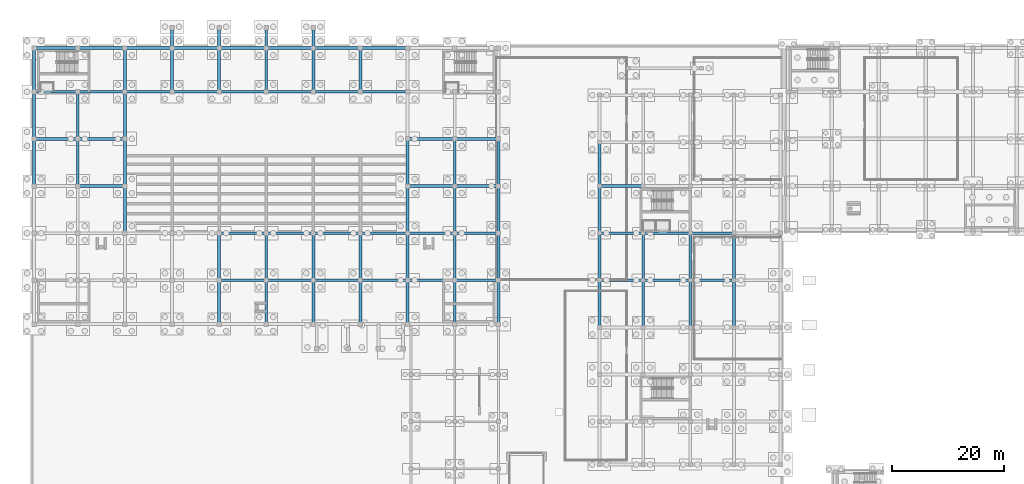
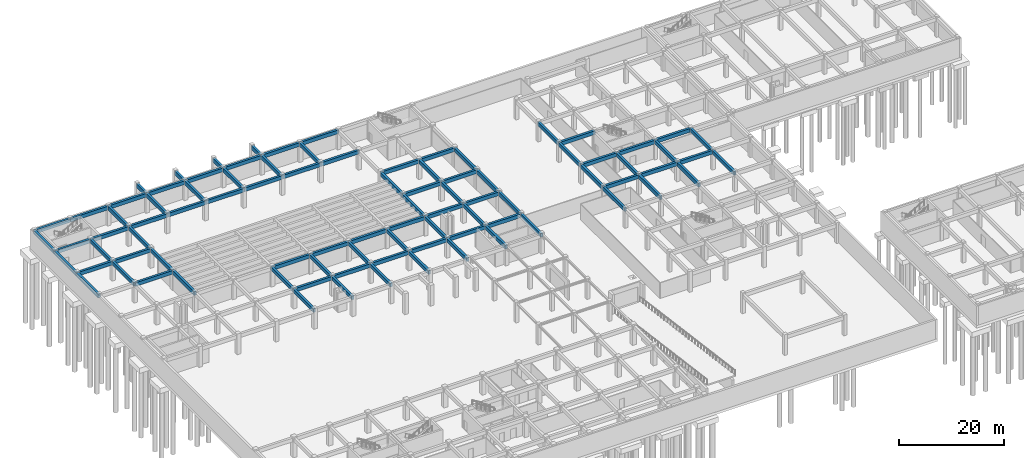
# One storey, part 12 of 35: 90 beams.
"""IFC4 building model written with IfcOpenShell, lengths in metres."""

import ifcopenshell
import ifcopenshell.guid

model = None  # the IFC model being written
_history = None  # IfcOwnerHistory: only IFC2X3 demands one
_inside = {}  # id of a spatial element -> (the spatial element, [elements in it])
_under = {}  # id of a project, library or spatial element -> (it, [spatial elements below it])
_declared = {}  # id of a project -> (the project, [libraries it declares])
_typed = {}  # id of a type object -> (the type object, [elements of that type])
_made_of = {}  # id of a material, layer set ... -> (it, [elements and type objects made of it])


def new_model(schema):
    """Start an empty IFC model of exactly this schema.

    Asked for "IFC4X3", IfcOpenShell would pick the latest addendum, in which some entities
    have other attributes; the version numbers below select the first issue.
    IFC2X3 requires an IfcOwnerHistory on every rooted entity: one is made here for all.
    """
    global model, _history
    if schema == "IFC4X3":
        model = ifcopenshell.file(schema_version=(4, 3, 0, 0))
    else:
        model = ifcopenshell.file(schema=schema)
    _inside.clear()
    _under.clear()
    _declared.clear()
    _typed.clear()
    _made_of.clear()
    _history = None
    if model.schema == "IFC2X3":
        org = make("IfcOrganization", Name="unknown")
        user = make(
            "IfcPersonAndOrganization",
            ThePerson=make("IfcPerson", FamilyName="unknown"),
            TheOrganization=org,
        )
        app = make(
            "IfcApplication",
            ApplicationDeveloper=org,
            Version="unknown",
            ApplicationFullName="unknown",
            ApplicationIdentifier="unknown",
        )
        _history = make(
            "IfcOwnerHistory",
            OwningUser=user,
            OwningApplication=app,
            ChangeAction="ADDED",
            CreationDate=0,
        )
    return model


def make(cls, **values):
    """One entity of the class cls with the attributes given. An attribute that is None is left unset."""
    return model.create_entity(
        cls, **{name: value for name, value in values.items() if value is not None}
    )


def rooted(cls, **values):
    """An entity with a GlobalId (a new one), such as an element, a storey or a relation."""
    return make(cls, GlobalId=ifcopenshell.guid.new(), OwnerHistory=_history, **values)


def si_unit(unit_type, name, prefix=None):
    """IfcSIUnit, for example si_unit("LENGTHUNIT", "METRE", prefix="MILLI")."""
    return make("IfcSIUnit", UnitType=unit_type, Prefix=prefix, Name=name)


def assignment(units):
    """IfcUnitAssignment: the units of a project."""
    return None if units is None else make("IfcUnitAssignment", Units=units)


def point(xyz):
    """IfcCartesianPoint."""
    return None if xyz is None else make("IfcCartesianPoint", Coordinates=xyz)


def direction(xyz):
    """IfcDirection."""
    return None if xyz is None else make("IfcDirection", DirectionRatios=xyz)


def frame(location, z_axis=None, x_axis=None):
    """IfcAxis2Placement3D, a coordinate frame: its origin and axes. An axis left out is left unset."""
    return make(
        "IfcAxis2Placement3D",
        Location=point(location),
        Axis=direction(z_axis),
        RefDirection=direction(x_axis),
    )


def frame_2d(location, x_axis=None):
    """IfcAxis2Placement2D, a coordinate frame in the plane: its origin and x axis."""
    return make(
        "IfcAxis2Placement2D", Location=point(location), RefDirection=direction(x_axis)
    )


def origin():
    """The frame at (0, 0, 0) with its axes left unset."""
    return frame((0.0, 0.0, 0.0))


def origin_2d():
    """The frame at (0, 0) in the plane with its x axis left unset."""
    return frame_2d((0.0, 0.0))


def place(relative_to, where):
    """IfcLocalPlacement: puts the frame where relative to a parent placement (None: the world)."""
    return make(
        "IfcLocalPlacement", PlacementRelTo=relative_to, RelativePlacement=where
    )


def context(
    kind, dimensions, precision=None, world=None, true_north=None, identifier=None
):
    """IfcGeometricRepresentationContext, for example the 3D "Model" context."""
    return make(
        "IfcGeometricRepresentationContext",
        ContextIdentifier=identifier,
        ContextType=kind,
        CoordinateSpaceDimension=dimensions,
        Precision=precision,
        WorldCoordinateSystem=world,
        TrueNorth=true_north,
    )


def subcontext(parent, identifier, kind, view, scale=None):
    """IfcGeometricRepresentationSubContext, for example "Body" below "Model"."""
    return make(
        "IfcGeometricRepresentationSubContext",
        ContextIdentifier=identifier,
        ContextType=kind,
        ParentContext=parent,
        TargetScale=scale,
        TargetView=view,
    )


def project(units=None, contexts=None):
    """IfcProject with its units and contexts."""
    return rooted(
        "IfcProject",
        Name="project",
        RepresentationContexts=contexts,
        UnitsInContext=assignment(units),
    )


def spatial(cls, under=None, at=None, **own):
    """A site, building, storey or space (cls), placed at a placement, below another one or the project."""
    s = rooted(cls, ObjectPlacement=at, **own)
    if under is not None:
        _under.setdefault(under.id(), (under, []))[1].append(s)
    return s


def profile(cls, at=None, kind="AREA", **sizes):
    """A parametric profile (cls). Its sizes go by their IFC names, for example OverallWidth=200.0."""
    return make(cls, ProfileType=kind, Position=at, **sizes)


def rectangle(**sizes):
    """IfcRectangleProfileDef."""
    return profile("IfcRectangleProfileDef", **sizes)


def extrude(swept, where, along, depth):
    """IfcExtrudedAreaSolid: the profile swept, set in the frame where, extruded along a direction by depth."""
    return make(
        "IfcExtrudedAreaSolid",
        SweptArea=swept,
        Position=where,
        ExtrudedDirection=direction(along),
        Depth=depth,
    )


def shape(context_of_items, identifier, shape_type, items):
    """IfcShapeRepresentation: the items that make up one representation, for example the "Body"."""
    return make(
        "IfcShapeRepresentation",
        ContextOfItems=context_of_items,
        RepresentationIdentifier=identifier,
        RepresentationType=shape_type,
        Items=items,
    )


def material(Name=None, Category=None):
    """IfcMaterial."""
    return make("IfcMaterial", Name=Name, Category=Category)


def material_profile(
    of_material, cross_section, Name=None, Category=None, Priority=None
):
    """IfcMaterialProfile: a cross section and its material."""
    return make(
        "IfcMaterialProfile",
        Name=Name,
        Material=of_material,
        Profile=cross_section,
        Priority=Priority,
        Category=Category,
    )


def profile_set(profiles, Name=None, composite=None):
    """IfcMaterialProfileSet."""
    return make(
        "IfcMaterialProfileSet",
        Name=Name,
        MaterialProfiles=profiles,
        CompositeProfile=composite,
    )


def made_of(thing, what):
    """Note that an element or type object is made of a material, layer set ...; save() writes the relation."""
    if what is not None:
        _made_of.setdefault(what.id(), (what, []))[1].append(thing)
    return thing


def type_object(cls, material=None, **own):
    """A type object (cls), such as IfcWallType, which elements share."""
    return made_of(rooted(cls, **own), material)


def element(
    cls,
    number,
    at=None,
    inside=None,
    cuts=None,
    type_object=None,
    material=None,
    context=None,
    identifier="Body",
    shape_type=None,
    held_by="IfcProductDefinitionShape",
    body=None,
    shapes=None,
    **own,
):
    """One element of the class cls, such as IfcWall. Its Tag is "e" and its number.

    at: its placement. inside: the storey or other place that contains it. cuts: it is an
    opening in that element (IfcRelVoidsElement). A single representation is given by context,
    identifier, shape_type and body (its items); several are given by shapes. held_by: the class
    of the entity that holds the representations. save() writes the other relations.
    """
    e = rooted(cls, Tag="e%d" % number, ObjectPlacement=at, **own)
    if body is not None:
        shapes = [shape(context, identifier, shape_type, body)]
    if shapes is not None:
        e.Representation = make(held_by, Representations=shapes)
    if inside is not None:
        _inside.setdefault(inside.id(), (inside, []))[1].append(e)
    if cuts is not None:
        rooted(
            "IfcRelVoidsElement", RelatingBuildingElement=cuts, RelatedOpeningElement=e
        )
    if type_object is not None:
        _typed.setdefault(type_object.id(), (type_object, []))[1].append(e)
    return made_of(e, material)


def aggregate(whole, parts):
    """IfcRelAggregates: a whole, such as a stair, and the parts it consists of."""
    return rooted("IfcRelAggregates", RelatingObject=whole, RelatedObjects=parts)


def save(model, path):
    """Write the relations noted so far, then the file.

    IfcRelAggregates (storeys below a building ...), IfcRelContainedInSpatialStructure (elements
    in a storey), IfcRelDefinesByType, IfcRelAssociatesMaterial and IfcRelDeclares: one each for
    every whole, place, type object, material and project.
    """
    for whole, parts in _under.values():
        aggregate(whole, parts)
    for where, things in _inside.values():
        rooted(
            "IfcRelContainedInSpatialStructure",
            RelatedElements=things,
            RelatingStructure=where,
        )
    for kind, things in _typed.values():
        rooted("IfcRelDefinesByType", RelatedObjects=things, RelatingType=kind)
    for what, things in _made_of.values():
        rooted("IfcRelAssociatesMaterial", RelatedObjects=things, RelatingMaterial=what)
    for by, libraries in _declared.values():
        rooted("IfcRelDeclares", RelatingContext=by, RelatedDefinitions=libraries)
    model.write(path)


model = new_model("IFC4")

# Units and contexts
model_context = context("Model", 3, precision=1e-05, world=origin(), true_north=direction((0.0, 1.0)))
body_context = subcontext(model_context, "Body", "Model", "MODEL_VIEW")
ifc_project = project(units=[si_unit("LENGTHUNIT", "METRE"), si_unit("AREAUNIT", "SQUARE_METRE"), si_unit("VOLUMEUNIT", "CUBIC_METRE"), si_unit("PLANEANGLEUNIT", "RADIAN"), si_unit("MASSUNIT", "GRAM", prefix="KILO")], contexts=[model_context])

# Site, building, storey
site_placement = place(None, origin())
site = spatial("IfcSite", under=ifc_project, at=site_placement, CompositionType="ELEMENT")
building_placement = place(site_placement, origin())
building = spatial("IfcBuilding", under=site, at=building_placement, Name="Zayran Congress Hotel", CompositionType="ELEMENT")
storey_placement = place(building_placement, frame((0.0, 0.0, -4.800048828125)))
storey = spatial("IfcBuildingStorey", under=building, at=storey_placement, Name="B1", CompositionType="ELEMENT", Elevation=-4.800048828125)

# Beams
ifc_material = material(Name="Concrete C40/50", Category="concrete")
ifc_material_profile = material_profile(ifc_material, rectangle(XDim=0.5, YDim=0.85009765625, at=origin_2d()), Name="RC 500x850")
ifc_profile_set = profile_set([ifc_material_profile], Name="Concrete C40/50")
beam_type = type_object("IfcBeamType", Name="TP-BM-01", PredefinedType="BEAM", material=ifc_profile_set)
beam_1_placement = place(storey_placement, frame((42.0, 76.0, 4.054931640625), z_axis=(1.0, 0.0, 0.0), x_axis=(0.0, 1.0, 0.0)))
element("IfcBeam", 1, at=beam_1_placement, inside=storey, type_object=beam_type, Name="BM-B1-0015", PredefinedType="BEAM", context=body_context, shape_type="SweptSolid", body=[
    extrude(rectangle(XDim=0.5, YDim=0.85009765625, at=origin_2d()), origin(), (0.0, 0.0, 1.0), 8.39990234375),
])
beam_2_placement = place(storey_placement, frame((50.39990234375, 76.0, 4.054931640625), z_axis=(1.0, 0.0, 0.0), x_axis=(0.0, 1.0, 0.0)))
element("IfcBeam", 2, at=beam_2_placement, inside=storey, type_object=beam_type, Name="BM-B1-0016", PredefinedType="BEAM", context=body_context, shape_type="SweptSolid", body=[
    extrude(rectangle(XDim=0.5, YDim=0.85009765625, at=origin_2d()), origin(), (0.0, 0.0, 1.0), 8.400146484375),
])
beam_3_placement = place(storey_placement, frame((58.800048828125, 76.0, 4.054931640625), z_axis=(1.0, 0.0, 0.0), x_axis=(0.0, 1.0, 0.0)))
element("IfcBeam", 3, at=beam_3_placement, inside=storey, type_object=beam_type, Name="BM-B1-0017", PredefinedType="BEAM", context=body_context, shape_type="SweptSolid", body=[
    extrude(rectangle(XDim=0.5, YDim=0.85009765625, at=origin_2d()), origin(), (0.0, 0.0, 1.0), 8.39990234375),
])
beam_4_placement = place(storey_placement, frame((67.199951171875, 76.0, 4.054931640625), z_axis=(1.0, 0.0, 0.0), x_axis=(0.0, 1.0, 0.0)))
element("IfcBeam", 4, at=beam_4_placement, inside=storey, type_object=beam_type, Name="BM-B1-0018", PredefinedType="BEAM", context=body_context, shape_type="SweptSolid", body=[
    extrude(rectangle(XDim=0.5, YDim=0.85009765625, at=origin_2d()), origin(), (0.0, 0.0, 1.0), 8.400146484375),
])
beam_5_placement = place(storey_placement, frame((75.60009765625, 76.0, 4.054931640625), z_axis=(1.0, 0.0, 0.0), x_axis=(0.0, 1.0, 0.0)))
element("IfcBeam", 5, at=beam_5_placement, inside=storey, type_object=beam_type, Name="BM-B1-0019", PredefinedType="BEAM", context=body_context, shape_type="SweptSolid", body=[
    extrude(rectangle(XDim=0.5, YDim=0.85009765625, at=origin_2d()), origin(), (0.0, 0.0, 1.0), 8.39990234375),
])
beam_6_placement = place(storey_placement, frame((84.0, 76.0, 4.054931640625), z_axis=(1.0, 0.0, 0.0), x_axis=(0.0, 1.0, 0.0)))
element("IfcBeam", 6, at=beam_6_placement, inside=storey, type_object=beam_type, Name="BM-B1-0020", PredefinedType="BEAM", context=body_context, shape_type="SweptSolid", body=[
    extrude(rectangle(XDim=0.5, YDim=0.85009765625, at=origin_2d()), origin(), (0.0, 0.0, 1.0), 7.800048828125),
])
beam_7_placement = place(storey_placement, frame((42.0, 84.39990234375, 4.054931640625), z_axis=(1.0, 0.0, 0.0), x_axis=(0.0, 1.0, 0.0)))
element("IfcBeam", 7, at=beam_7_placement, inside=storey, type_object=beam_type, Name="BM-B1-0025", PredefinedType="BEAM", context=body_context, shape_type="SweptSolid", body=[
    extrude(rectangle(XDim=0.5, YDim=0.85009765625, at=origin_2d()), origin(), (0.0, 0.0, 1.0), 8.39990234375),
])
beam_8_placement = place(storey_placement, frame((50.39990234375, 84.39990234375, 4.054931640625), z_axis=(1.0, 0.0, 0.0), x_axis=(0.0, 1.0, 0.0)))
element("IfcBeam", 8, at=beam_8_placement, inside=storey, type_object=beam_type, Name="BM-B1-0026", PredefinedType="BEAM", context=body_context, shape_type="SweptSolid", body=[
    extrude(rectangle(XDim=0.5, YDim=0.85009765625, at=origin_2d()), origin(), (0.0, 0.0, 1.0), 8.400146484375),
])
beam_9_placement = place(storey_placement, frame((58.800048828125, 84.39990234375, 4.054931640625), z_axis=(1.0, 0.0, 0.0), x_axis=(0.0, 1.0, 0.0)))
element("IfcBeam", 9, at=beam_9_placement, inside=storey, type_object=beam_type, Name="BM-B1-0027", PredefinedType="BEAM", context=body_context, shape_type="SweptSolid", body=[
    extrude(rectangle(XDim=0.5, YDim=0.85009765625, at=origin_2d()), origin(), (0.0, 0.0, 1.0), 8.39990234375),
])
beam_10_placement = place(storey_placement, frame((67.199951171875, 84.39990234375, 4.054931640625), z_axis=(1.0, 0.0, 0.0), x_axis=(0.0, 1.0, 0.0)))
element("IfcBeam", 10, at=beam_10_placement, inside=storey, type_object=beam_type, Name="BM-B1-0028", PredefinedType="BEAM", context=body_context, shape_type="SweptSolid", body=[
    extrude(rectangle(XDim=0.5, YDim=0.85009765625, at=origin_2d()), origin(), (0.0, 0.0, 1.0), 8.400146484375),
])
beam_11_placement = place(storey_placement, frame((75.60009765625, 84.39990234375, 4.054931640625), z_axis=(1.0, 0.0, 0.0), x_axis=(0.0, 1.0, 0.0)))
element("IfcBeam", 11, at=beam_11_placement, inside=storey, type_object=beam_type, Name="BM-B1-0029", PredefinedType="BEAM", context=body_context, shape_type="SweptSolid", body=[
    extrude(rectangle(XDim=0.5, YDim=0.85009765625, at=origin_2d()), origin(), (0.0, 0.0, 1.0), 8.39990234375),
])
beam_12_placement = place(storey_placement, frame((84.0, 84.39990234375, 4.054931640625), z_axis=(1.0, 0.0, 0.0), x_axis=(0.0, 1.0, 0.0)))
element("IfcBeam", 12, at=beam_12_placement, inside=storey, type_object=beam_type, Name="BM-B1-0030", PredefinedType="BEAM", context=body_context, shape_type="SweptSolid", body=[
    extrude(rectangle(XDim=0.5, YDim=0.85009765625, at=origin_2d()), origin(), (0.0, 0.0, 1.0), 7.800048828125),
])
for number, where, z_axis, x_axis, name in (
    (13, (16.800048828125, 92.800048828125, 4.054931640625), (1.0, 0.0, 0.0), (0.0, 1.0, 0.0), "BM-B1-0032"),
    (14, (75.60009765625, 92.800048828125, 4.054931640625), (1.0, 0.0, 0.0), (0.0, 1.0, 0.0), "BM-B1-0033"),
):
    element("IfcBeam", number, at=place(storey_placement, frame(where, z_axis=z_axis, x_axis=x_axis)), inside=storey, type_object=beam_type, Name=name, PredefinedType="BEAM", context=body_context, shape_type="SweptSolid", body=[
        extrude(rectangle(XDim=0.5, YDim=0.85009765625, at=origin_2d()), origin(), (0.0, 0.0, 1.0), 8.39990234375),
    ])
for number, where, z_axis, x_axis, name in (
    (15, (84.0, 92.800048828125, 4.054931640625), (1.0, 0.0, 0.0), (0.0, 1.0, 0.0), "BM-B1-0034"),
    (16, (9.0, 101.199951171875, 4.054931640625), (1.0, 0.0, 0.0), (0.0, 1.0, 0.0), "BM-B1-0035"),
):
    element("IfcBeam", number, at=place(storey_placement, frame(where, z_axis=z_axis, x_axis=x_axis)), inside=storey, type_object=beam_type, Name=name, PredefinedType="BEAM", context=body_context, shape_type="SweptSolid", body=[
        extrude(rectangle(XDim=0.5, YDim=0.85009765625, at=origin_2d()), origin(), (0.0, 0.0, 1.0), 7.800048828125),
    ])
for number, where, z_axis, x_axis, name in (
    (17, (16.800048828125, 101.199951171875, 4.054931640625), (1.0, 0.0, 0.0), (0.0, 1.0, 0.0), "BM-B1-0036"),
    (18, (75.60009765625, 101.199951171875, 4.054931640625), (1.0, 0.0, 0.0), (0.0, 1.0, 0.0), "BM-B1-0037"),
):
    element("IfcBeam", number, at=place(storey_placement, frame(where, z_axis=z_axis, x_axis=x_axis)), inside=storey, type_object=beam_type, Name=name, PredefinedType="BEAM", context=body_context, shape_type="SweptSolid", body=[
        extrude(rectangle(XDim=0.5, YDim=0.85009765625, at=origin_2d()), origin(), (0.0, 0.0, 1.0), 8.39990234375),
    ])
for number, where, z_axis, x_axis, name in (
    (19, (84.0, 101.199951171875, 4.054931640625), (1.0, 0.0, 0.0), (0.0, 1.0, 0.0), "BM-B1-0038"),
    (20, (9.0, 109.60009765625, 4.054931640625), (1.0, 0.0, 0.0), (0.0, 1.0, 0.0), "BM-B1-0039"),
):
    element("IfcBeam", number, at=place(storey_placement, frame(where, z_axis=z_axis, x_axis=x_axis)), inside=storey, type_object=beam_type, Name=name, PredefinedType="BEAM", context=body_context, shape_type="SweptSolid", body=[
        extrude(rectangle(XDim=0.5, YDim=0.85009765625, at=origin_2d()), origin(), (0.0, 0.0, 1.0), 7.800048828125),
    ])
beam_13_placement = place(storey_placement, frame((16.800048828125, 109.60009765625, 4.054931640625), z_axis=(1.0, 0.0, 0.0), x_axis=(0.0, 1.0, 0.0)))
element("IfcBeam", 21, at=beam_13_placement, inside=storey, type_object=beam_type, Name="BM-B1-0040", PredefinedType="BEAM", context=body_context, shape_type="SweptSolid", body=[
    extrude(rectangle(XDim=0.5, YDim=0.85009765625, at=origin_2d()), origin(), (0.0, 0.0, 1.0), 8.39990234375),
])
beam_14_placement = place(storey_placement, frame((25.199951171875, 109.60009765625, 4.054931640625), z_axis=(1.0, 0.0, 0.0), x_axis=(0.0, 1.0, 0.0)))
element("IfcBeam", 22, at=beam_14_placement, inside=storey, type_object=beam_type, Name="BM-B1-0041", PredefinedType="BEAM", context=body_context, shape_type="SweptSolid", body=[
    extrude(rectangle(XDim=0.5, YDim=0.85009765625, at=origin_2d()), origin(), (0.0, 0.0, 1.0), 8.400146484375),
])
for number, where, z_axis, x_axis, name in (
    (23, (33.60009765625, 109.60009765625, 4.054931640625), (1.0, 0.0, 0.0), (0.0, 1.0, 0.0), "BM-B1-0042"),
    (24, (42.0, 109.60009765625, 4.054931640625), (1.0, 0.0, 0.0), (0.0, 1.0, 0.0), "BM-B1-0043"),
):
    element("IfcBeam", number, at=place(storey_placement, frame(where, z_axis=z_axis, x_axis=x_axis)), inside=storey, type_object=beam_type, Name=name, PredefinedType="BEAM", context=body_context, shape_type="SweptSolid", body=[
        extrude(rectangle(XDim=0.5, YDim=0.85009765625, at=origin_2d()), origin(), (0.0, 0.0, 1.0), 8.39990234375),
    ])
beam_15_placement = place(storey_placement, frame((50.39990234375, 109.60009765625, 4.054931640625), z_axis=(1.0, 0.0, 0.0), x_axis=(0.0, 1.0, 0.0)))
element("IfcBeam", 25, at=beam_15_placement, inside=storey, type_object=beam_type, Name="BM-B1-0044", PredefinedType="BEAM", context=body_context, shape_type="SweptSolid", body=[
    extrude(rectangle(XDim=0.5, YDim=0.85009765625, at=origin_2d()), origin(), (0.0, 0.0, 1.0), 8.400146484375),
])
beam_16_placement = place(storey_placement, frame((58.800048828125, 109.60009765625, 4.054931640625), z_axis=(1.0, 0.0, 0.0), x_axis=(0.0, 1.0, 0.0)))
element("IfcBeam", 26, at=beam_16_placement, inside=storey, type_object=beam_type, Name="BM-B1-0045", PredefinedType="BEAM", context=body_context, shape_type="SweptSolid", body=[
    extrude(rectangle(XDim=0.5, YDim=0.85009765625, at=origin_2d()), origin(), (0.0, 0.0, 1.0), 8.39990234375),
])
beam_17_placement = place(storey_placement, frame((67.199951171875, 109.60009765625, 4.054931640625), z_axis=(1.0, 0.0, 0.0), x_axis=(0.0, 1.0, 0.0)))
element("IfcBeam", 27, at=beam_17_placement, inside=storey, type_object=beam_type, Name="BM-B1-0046", PredefinedType="BEAM", context=body_context, shape_type="SweptSolid", body=[
    extrude(rectangle(XDim=0.5, YDim=0.85009765625, at=origin_2d()), origin(), (0.0, 0.0, 1.0), 8.400146484375),
])
beam_18_placement = place(storey_placement, frame((9.0, 117.39990234375, 4.054931640625), z_axis=(1.0, 0.0, 0.0), x_axis=(0.0, 1.0, 0.0)))
element("IfcBeam", 28, at=beam_18_placement, inside=storey, type_object=beam_type, Name="BM-B1-0049", PredefinedType="BEAM", context=body_context, shape_type="SweptSolid", body=[
    extrude(rectangle(XDim=0.5, YDim=0.85009765625, at=origin_2d()), origin(), (0.0, 0.0, 1.0), 7.800048828125),
])
beam_19_placement = place(storey_placement, frame((16.800048828125, 117.39990234375, 4.054931640625), z_axis=(1.0, 0.0, 0.0), x_axis=(0.0, 1.0, 0.0)))
element("IfcBeam", 29, at=beam_19_placement, inside=storey, type_object=beam_type, Name="BM-B1-0050", PredefinedType="BEAM", context=body_context, shape_type="SweptSolid", body=[
    extrude(rectangle(XDim=0.5, YDim=0.85009765625, at=origin_2d()), origin(), (0.0, 0.0, 1.0), 8.39990234375),
])
beam_20_placement = place(storey_placement, frame((25.199951171875, 117.39990234375, 4.054931640625), z_axis=(1.0, 0.0, 0.0), x_axis=(0.0, 1.0, 0.0)))
element("IfcBeam", 30, at=beam_20_placement, inside=storey, type_object=beam_type, Name="BM-B1-0051", PredefinedType="BEAM", context=body_context, shape_type="SweptSolid", body=[
    extrude(rectangle(XDim=0.5, YDim=0.85009765625, at=origin_2d()), origin(), (0.0, 0.0, 1.0), 8.400146484375),
])
for number, where, z_axis, x_axis, name in (
    (31, (33.60009765625, 117.39990234375, 4.054931640625), (1.0, 0.0, 0.0), (0.0, 1.0, 0.0), "BM-B1-0052"),
    (32, (42.0, 117.39990234375, 4.054931640625), (1.0, 0.0, 0.0), (0.0, 1.0, 0.0), "BM-B1-0053"),
):
    element("IfcBeam", number, at=place(storey_placement, frame(where, z_axis=z_axis, x_axis=x_axis)), inside=storey, type_object=beam_type, Name=name, PredefinedType="BEAM", context=body_context, shape_type="SweptSolid", body=[
        extrude(rectangle(XDim=0.5, YDim=0.85009765625, at=origin_2d()), origin(), (0.0, 0.0, 1.0), 8.39990234375),
    ])
beam_21_placement = place(storey_placement, frame((50.39990234375, 117.39990234375, 4.054931640625), z_axis=(1.0, 0.0, 0.0), x_axis=(0.0, 1.0, 0.0)))
element("IfcBeam", 33, at=beam_21_placement, inside=storey, type_object=beam_type, Name="BM-B1-0054", PredefinedType="BEAM", context=body_context, shape_type="SweptSolid", body=[
    extrude(rectangle(XDim=0.5, YDim=0.85009765625, at=origin_2d()), origin(), (0.0, 0.0, 1.0), 8.400146484375),
])
beam_22_placement = place(storey_placement, frame((58.800048828125, 117.39990234375, 4.054931640625), z_axis=(1.0, 0.0, 0.0), x_axis=(0.0, 1.0, 0.0)))
element("IfcBeam", 34, at=beam_22_placement, inside=storey, type_object=beam_type, Name="BM-B1-0055", PredefinedType="BEAM", context=body_context, shape_type="SweptSolid", body=[
    extrude(rectangle(XDim=0.5, YDim=0.85009765625, at=origin_2d()), origin(), (0.0, 0.0, 1.0), 8.39990234375),
])
beam_23_placement = place(storey_placement, frame((67.199951171875, 117.39990234375, 4.054931640625), z_axis=(1.0, 0.0, 0.0), x_axis=(0.0, 1.0, 0.0)))
element("IfcBeam", 35, at=beam_23_placement, inside=storey, type_object=beam_type, Name="BM-B1-0056", PredefinedType="BEAM", context=body_context, shape_type="SweptSolid", body=[
    extrude(rectangle(XDim=0.5, YDim=0.85009765625, at=origin_2d()), origin(), (0.0, 0.0, 1.0), 8.400146484375),
])
beam_24_placement = place(storey_placement, frame((9.0, 92.800048828125, 4.054931640625), z_axis=(0.0, 1.0, 0.0), x_axis=(-1.0, 0.0, 0.0)))
element("IfcBeam", 36, at=beam_24_placement, inside=storey, type_object=beam_type, Name="BM-B1-0062", PredefinedType="BEAM", context=body_context, shape_type="SweptSolid", body=[
    extrude(rectangle(XDim=0.5, YDim=0.85009765625, at=origin_2d()), origin(), (0.0, 0.0, 1.0), 8.39990234375),
])
beam_25_placement = place(storey_placement, frame((9.0, 101.199951171875, 4.054931640625), z_axis=(0.0, 1.0, 0.0), x_axis=(-1.0, 0.0, 0.0)))
element("IfcBeam", 37, at=beam_25_placement, inside=storey, type_object=beam_type, Name="BM-B1-0063", PredefinedType="BEAM", context=body_context, shape_type="SweptSolid", body=[
    extrude(rectangle(XDim=0.5, YDim=0.85009765625, at=origin_2d()), origin(), (0.0, 0.0, 1.0), 8.400146484375),
])
beam_26_placement = place(storey_placement, frame((9.0, 109.60009765625, 4.054931640625), z_axis=(0.0, 1.0, 0.0), x_axis=(-1.0, 0.0, 0.0)))
element("IfcBeam", 38, at=beam_26_placement, inside=storey, type_object=beam_type, Name="BM-B1-0064", PredefinedType="BEAM", context=body_context, shape_type="SweptSolid", body=[
    extrude(rectangle(XDim=0.5, YDim=0.85009765625, at=origin_2d()), origin(), (0.0, 0.0, 1.0), 7.7998046875),
])
beam_27_placement = place(storey_placement, frame((16.800048828125, 92.800048828125, 4.054931640625), z_axis=(0.0, 1.0, 0.0), x_axis=(-1.0, 0.0, 0.0)))
element("IfcBeam", 39, at=beam_27_placement, inside=storey, type_object=beam_type, Name="BM-B1-0068", PredefinedType="BEAM", context=body_context, shape_type="SweptSolid", body=[
    extrude(rectangle(XDim=0.5, YDim=0.85009765625, at=origin_2d()), origin(), (0.0, 0.0, 1.0), 8.39990234375),
])
for number, where, z_axis, x_axis, name in (
    (40, (16.800048828125, 101.199951171875, 4.054931640625), (0.0, 1.0, 0.0), (-1.0, 0.0, 0.0), "BM-B1-0069"),
    (41, (25.199951171875, 84.39990234375, 4.054931640625), (0.0, 1.0, 0.0), (-1.0, 0.0, 0.0), "BM-B1-0072"),
):
    element("IfcBeam", number, at=place(storey_placement, frame(where, z_axis=z_axis, x_axis=x_axis)), inside=storey, type_object=beam_type, Name=name, PredefinedType="BEAM", context=body_context, shape_type="SweptSolid", body=[
        extrude(rectangle(XDim=0.5, YDim=0.85009765625, at=origin_2d()), origin(), (0.0, 0.0, 1.0), 8.400146484375),
    ])
beam_28_placement = place(storey_placement, frame((25.199951171875, 92.800048828125, 4.054931640625), z_axis=(0.0, 1.0, 0.0), x_axis=(-1.0, 0.0, 0.0)))
element("IfcBeam", 42, at=beam_28_placement, inside=storey, type_object=beam_type, Name="BM-B1-0073", PredefinedType="BEAM", context=body_context, shape_type="SweptSolid", body=[
    extrude(rectangle(XDim=0.5, YDim=0.85009765625, at=origin_2d()), origin(), (0.0, 0.0, 1.0), 8.39990234375),
])
beam_29_placement = place(storey_placement, frame((25.199951171875, 101.199951171875, 4.054931640625), z_axis=(0.0, 1.0, 0.0), x_axis=(-1.0, 0.0, 0.0)))
element("IfcBeam", 43, at=beam_29_placement, inside=storey, type_object=beam_type, Name="BM-B1-0074", PredefinedType="BEAM", context=body_context, shape_type="SweptSolid", body=[
    extrude(rectangle(XDim=0.5, YDim=0.85009765625, at=origin_2d()), origin(), (0.0, 0.0, 1.0), 8.400146484375),
])
for number, where, z_axis, x_axis, name in (
    (44, (25.199951171875, 109.60009765625, 4.054931640625), (0.0, 1.0, 0.0), (-1.0, 0.0, 0.0), "BM-B1-0075"),
    (45, (33.60009765625, 109.60009765625, 4.054931640625), (0.0, 1.0, 0.0), (-1.0, 0.0, 0.0), "BM-B1-0078"),
):
    element("IfcBeam", number, at=place(storey_placement, frame(where, z_axis=z_axis, x_axis=x_axis)), inside=storey, type_object=beam_type, Name=name, PredefinedType="BEAM", context=body_context, shape_type="SweptSolid", body=[
        extrude(rectangle(XDim=0.5, YDim=0.85009765625, at=origin_2d()), origin(), (0.0, 0.0, 1.0), 7.7998046875),
    ])
beam_30_placement = place(storey_placement, frame((42.0, 68.199951171875, 4.054931640625), z_axis=(0.0, 1.0, 0.0), x_axis=(-1.0, 0.0, 0.0)))
element("IfcBeam", 46, at=beam_30_placement, inside=storey, type_object=beam_type, Name="BM-B1-0079", PredefinedType="BEAM", context=body_context, shape_type="SweptSolid", body=[
    extrude(rectangle(XDim=0.5, YDim=0.85009765625, at=origin_2d()), origin(), (0.0, 0.0, 1.0), 7.800048828125),
])
beam_31_placement = place(storey_placement, frame((42.0, 76.0, 4.054931640625), z_axis=(0.0, 1.0, 0.0), x_axis=(-1.0, 0.0, 0.0)))
element("IfcBeam", 47, at=beam_31_placement, inside=storey, type_object=beam_type, Name="BM-B1-0080", PredefinedType="BEAM", context=body_context, shape_type="SweptSolid", body=[
    extrude(rectangle(XDim=0.5, YDim=0.85009765625, at=origin_2d()), origin(), (0.0, 0.0, 1.0), 8.39990234375),
])
beam_32_placement = place(storey_placement, frame((42.0, 109.60009765625, 4.054931640625), z_axis=(0.0, 1.0, 0.0), x_axis=(-1.0, 0.0, 0.0)))
element("IfcBeam", 48, at=beam_32_placement, inside=storey, type_object=beam_type, Name="BM-B1-0081", PredefinedType="BEAM", context=body_context, shape_type="SweptSolid", body=[
    extrude(rectangle(XDim=0.5, YDim=0.85009765625, at=origin_2d()), origin(), (0.0, 0.0, 1.0), 7.7998046875),
])
beam_33_placement = place(storey_placement, frame((50.39990234375, 68.199951171875, 4.054931640625), z_axis=(0.0, 1.0, 0.0), x_axis=(-1.0, 0.0, 0.0)))
element("IfcBeam", 49, at=beam_33_placement, inside=storey, type_object=beam_type, Name="BM-B1-0082", PredefinedType="BEAM", context=body_context, shape_type="SweptSolid", body=[
    extrude(rectangle(XDim=0.5, YDim=0.85009765625, at=origin_2d()), origin(), (0.0, 0.0, 1.0), 7.800048828125),
])
beam_34_placement = place(storey_placement, frame((50.39990234375, 76.0, 4.054931640625), z_axis=(0.0, 1.0, 0.0), x_axis=(-1.0, 0.0, 0.0)))
element("IfcBeam", 50, at=beam_34_placement, inside=storey, type_object=beam_type, Name="BM-B1-0083", PredefinedType="BEAM", context=body_context, shape_type="SweptSolid", body=[
    extrude(rectangle(XDim=0.5, YDim=0.85009765625, at=origin_2d()), origin(), (0.0, 0.0, 1.0), 8.39990234375),
])
beam_35_placement = place(storey_placement, frame((50.39990234375, 109.60009765625, 4.054931640625), z_axis=(0.0, 1.0, 0.0), x_axis=(-1.0, 0.0, 0.0)))
element("IfcBeam", 51, at=beam_35_placement, inside=storey, type_object=beam_type, Name="BM-B1-0084", PredefinedType="BEAM", context=body_context, shape_type="SweptSolid", body=[
    extrude(rectangle(XDim=0.5, YDim=0.85009765625, at=origin_2d()), origin(), (0.0, 0.0, 1.0), 7.7998046875),
])
beam_36_placement = place(storey_placement, frame((58.800048828125, 68.199951171875, 4.054931640625), z_axis=(0.0, 1.0, 0.0), x_axis=(-1.0, 0.0, 0.0)))
element("IfcBeam", 52, at=beam_36_placement, inside=storey, type_object=beam_type, Name="BM-B1-0085", PredefinedType="BEAM", context=body_context, shape_type="SweptSolid", body=[
    extrude(rectangle(XDim=0.5, YDim=0.85009765625, at=origin_2d()), origin(), (0.0, 0.0, 1.0), 7.800048828125),
])
beam_37_placement = place(storey_placement, frame((58.800048828125, 76.0, 4.054931640625), z_axis=(0.0, 1.0, 0.0), x_axis=(-1.0, 0.0, 0.0)))
element("IfcBeam", 53, at=beam_37_placement, inside=storey, type_object=beam_type, Name="BM-B1-0086", PredefinedType="BEAM", context=body_context, shape_type="SweptSolid", body=[
    extrude(rectangle(XDim=0.5, YDim=0.85009765625, at=origin_2d()), origin(), (0.0, 0.0, 1.0), 8.39990234375),
])
beam_38_placement = place(storey_placement, frame((58.800048828125, 109.60009765625, 4.054931640625), z_axis=(0.0, 1.0, 0.0), x_axis=(-1.0, 0.0, 0.0)))
element("IfcBeam", 54, at=beam_38_placement, inside=storey, type_object=beam_type, Name="BM-B1-0087", PredefinedType="BEAM", context=body_context, shape_type="SweptSolid", body=[
    extrude(rectangle(XDim=0.5, YDim=0.85009765625, at=origin_2d()), origin(), (0.0, 0.0, 1.0), 7.7998046875),
])
beam_39_placement = place(storey_placement, frame((67.199951171875, 68.199951171875, 4.054931640625), z_axis=(0.0, 1.0, 0.0), x_axis=(-1.0, 0.0, 0.0)))
element("IfcBeam", 55, at=beam_39_placement, inside=storey, type_object=beam_type, Name="BM-B1-0088", PredefinedType="BEAM", context=body_context, shape_type="SweptSolid", body=[
    extrude(rectangle(XDim=0.5, YDim=0.85009765625, at=origin_2d()), origin(), (0.0, 0.0, 1.0), 7.800048828125),
])
beam_40_placement = place(storey_placement, frame((67.199951171875, 76.0, 4.054931640625), z_axis=(0.0, 1.0, 0.0), x_axis=(-1.0, 0.0, 0.0)))
element("IfcBeam", 56, at=beam_40_placement, inside=storey, type_object=beam_type, Name="BM-B1-0089", PredefinedType="BEAM", context=body_context, shape_type="SweptSolid", body=[
    extrude(rectangle(XDim=0.5, YDim=0.85009765625, at=origin_2d()), origin(), (0.0, 0.0, 1.0), 8.39990234375),
])
beam_41_placement = place(storey_placement, frame((67.199951171875, 109.60009765625, 4.054931640625), z_axis=(0.0, 1.0, 0.0), x_axis=(-1.0, 0.0, 0.0)))
element("IfcBeam", 57, at=beam_41_placement, inside=storey, type_object=beam_type, Name="BM-B1-0090", PredefinedType="BEAM", context=body_context, shape_type="SweptSolid", body=[
    extrude(rectangle(XDim=0.5, YDim=0.85009765625, at=origin_2d()), origin(), (0.0, 0.0, 1.0), 7.7998046875),
])
beam_42_placement = place(storey_placement, frame((75.60009765625, 68.199951171875, 4.054931640625), z_axis=(0.0, 1.0, 0.0), x_axis=(-1.0, 0.0, 0.0)))
element("IfcBeam", 58, at=beam_42_placement, inside=storey, type_object=beam_type, Name="BM-B1-0091", PredefinedType="BEAM", context=body_context, shape_type="SweptSolid", body=[
    extrude(rectangle(XDim=0.5, YDim=0.85009765625, at=origin_2d()), origin(), (0.0, 0.0, 1.0), 7.800048828125),
])
beam_43_placement = place(storey_placement, frame((75.60009765625, 76.0, 4.054931640625), z_axis=(0.0, 1.0, 0.0), x_axis=(-1.0, 0.0, 0.0)))
element("IfcBeam", 59, at=beam_43_placement, inside=storey, type_object=beam_type, Name="BM-B1-0092", PredefinedType="BEAM", context=body_context, shape_type="SweptSolid", body=[
    extrude(rectangle(XDim=0.5, YDim=0.85009765625, at=origin_2d()), origin(), (0.0, 0.0, 1.0), 8.39990234375),
])
beam_44_placement = place(storey_placement, frame((75.60009765625, 84.39990234375, 4.054931640625), z_axis=(0.0, 1.0, 0.0), x_axis=(-1.0, 0.0, 0.0)))
element("IfcBeam", 60, at=beam_44_placement, inside=storey, type_object=beam_type, Name="BM-B1-0093", PredefinedType="BEAM", context=body_context, shape_type="SweptSolid", body=[
    extrude(rectangle(XDim=0.5, YDim=0.85009765625, at=origin_2d()), origin(), (0.0, 0.0, 1.0), 8.400146484375),
])
beam_45_placement = place(storey_placement, frame((75.60009765625, 92.800048828125, 4.054931640625), z_axis=(0.0, 1.0, 0.0), x_axis=(-1.0, 0.0, 0.0)))
element("IfcBeam", 61, at=beam_45_placement, inside=storey, type_object=beam_type, Name="BM-B1-0094", PredefinedType="BEAM", context=body_context, shape_type="SweptSolid", body=[
    extrude(rectangle(XDim=0.5, YDim=0.85009765625, at=origin_2d()), origin(), (0.0, 0.0, 1.0), 8.39990234375),
])
beam_46_placement = place(storey_placement, frame((84.0, 68.199951171875, 4.054931640625), z_axis=(0.0, 1.0, 0.0), x_axis=(-1.0, 0.0, 0.0)))
element("IfcBeam", 62, at=beam_46_placement, inside=storey, type_object=beam_type, Name="BM-B1-0097", PredefinedType="BEAM", context=body_context, shape_type="SweptSolid", body=[
    extrude(rectangle(XDim=0.5, YDim=0.85009765625, at=origin_2d()), origin(), (0.0, 0.0, 1.0), 7.800048828125),
])
beam_47_placement = place(storey_placement, frame((84.0, 76.0, 4.054931640625), z_axis=(0.0, 1.0, 0.0), x_axis=(-1.0, 0.0, 0.0)))
element("IfcBeam", 63, at=beam_47_placement, inside=storey, type_object=beam_type, Name="BM-B1-0098", PredefinedType="BEAM", context=body_context, shape_type="SweptSolid", body=[
    extrude(rectangle(XDim=0.5, YDim=0.85009765625, at=origin_2d()), origin(), (0.0, 0.0, 1.0), 8.39990234375),
])
beam_48_placement = place(storey_placement, frame((84.0, 84.39990234375, 4.054931640625), z_axis=(0.0, 1.0, 0.0), x_axis=(-1.0, 0.0, 0.0)))
element("IfcBeam", 64, at=beam_48_placement, inside=storey, type_object=beam_type, Name="BM-B1-0099", PredefinedType="BEAM", context=body_context, shape_type="SweptSolid", body=[
    extrude(rectangle(XDim=0.5, YDim=0.85009765625, at=origin_2d()), origin(), (0.0, 0.0, 1.0), 8.400146484375),
])
beam_49_placement = place(storey_placement, frame((84.0, 92.800048828125, 4.054931640625), z_axis=(0.0, 1.0, 0.0), x_axis=(-1.0, 0.0, 0.0)))
element("IfcBeam", 65, at=beam_49_placement, inside=storey, type_object=beam_type, Name="BM-B1-0100", PredefinedType="BEAM", context=body_context, shape_type="SweptSolid", body=[
    extrude(rectangle(XDim=0.5, YDim=0.85009765625, at=origin_2d()), origin(), (0.0, 0.0, 1.0), 8.39990234375),
])
beam_50_placement = place(storey_placement, frame((91.800048828125, 68.199951171875, 4.054931640625), z_axis=(0.0, 1.0, 0.0), x_axis=(-1.0, 0.0, 0.0)))
element("IfcBeam", 66, at=beam_50_placement, inside=storey, type_object=beam_type, Name="BM-B1-0102", PredefinedType="BEAM", context=body_context, shape_type="SweptSolid", body=[
    extrude(rectangle(XDim=0.5, YDim=0.85009765625, at=origin_2d()), origin(), (0.0, 0.0, 1.0), 7.800048828125),
])
beam_51_placement = place(storey_placement, frame((91.800048828125, 76.0, 4.054931640625), z_axis=(0.0, 1.0, 0.0), x_axis=(-1.0, 0.0, 0.0)))
element("IfcBeam", 67, at=beam_51_placement, inside=storey, type_object=beam_type, Name="BM-B1-0103", PredefinedType="BEAM", context=body_context, shape_type="SweptSolid", body=[
    extrude(rectangle(XDim=0.5, YDim=0.85009765625, at=origin_2d()), origin(), (0.0, 0.0, 1.0), 8.39990234375),
])
beam_52_placement = place(storey_placement, frame((91.800048828125, 84.39990234375, 4.054931640625), z_axis=(0.0, 1.0, 0.0), x_axis=(-1.0, 0.0, 0.0)))
element("IfcBeam", 68, at=beam_52_placement, inside=storey, type_object=beam_type, Name="BM-B1-0104", PredefinedType="BEAM", context=body_context, shape_type="SweptSolid", body=[
    extrude(rectangle(XDim=0.5, YDim=0.85009765625, at=origin_2d()), origin(), (0.0, 0.0, 1.0), 8.400146484375),
])
beam_53_placement = place(storey_placement, frame((91.800048828125, 92.800048828125, 4.054931640625), z_axis=(0.0, 1.0, 0.0), x_axis=(-1.0, 0.0, 0.0)))
element("IfcBeam", 69, at=beam_53_placement, inside=storey, type_object=beam_type, Name="BM-B1-0105", PredefinedType="BEAM", context=body_context, shape_type="SweptSolid", body=[
    extrude(rectangle(XDim=0.5, YDim=0.85009765625, at=origin_2d()), origin(), (0.0, 0.0, 1.0), 8.39990234375),
])
beam_54_placement = place(storey_placement, frame((109.800048828125, 76.0, 4.054931640625), z_axis=(1.0, 0.0, 0.0), x_axis=(0.0, 1.0, 0.0)))
element("IfcBeam", 70, at=beam_54_placement, inside=storey, type_object=beam_type, Name="BM-B1-0230", PredefinedType="BEAM", context=body_context, shape_type="SweptSolid", body=[
    extrude(rectangle(XDim=0.5, YDim=0.85009765625, at=origin_2d()), origin(), (0.0, 0.0, 1.0), 7.800048828125),
])
beam_55_placement = place(storey_placement, frame((117.60009765625, 76.0, 4.054931640625), z_axis=(1.0, 0.0, 0.0), x_axis=(0.0, 1.0, 0.0)))
element("IfcBeam", 71, at=beam_55_placement, inside=storey, type_object=beam_type, Name="BM-B1-0231", PredefinedType="BEAM", context=body_context, shape_type="SweptSolid", body=[
    extrude(rectangle(XDim=0.5, YDim=0.85009765625, at=origin_2d()), origin(), (0.0, 0.0, 1.0), 8.39990234375),
])
for number, where, z_axis, x_axis, name in (
    (72, (126.0, 76.0, 4.054931640625), (1.0, 0.0, 0.0), (0.0, 1.0, 0.0), "BM-B1-0232"),
    (73, (109.800048828125, 84.39990234375, 4.054931640625), (1.0, 0.0, 0.0), (0.0, 1.0, 0.0), "BM-B1-0234"),
):
    element("IfcBeam", number, at=place(storey_placement, frame(where, z_axis=z_axis, x_axis=x_axis)), inside=storey, type_object=beam_type, Name=name, PredefinedType="BEAM", context=body_context, shape_type="SweptSolid", body=[
        extrude(rectangle(XDim=0.5, YDim=0.85009765625, at=origin_2d()), origin(), (0.0, 0.0, 1.0), 7.800048828125),
    ])
beam_56_placement = place(storey_placement, frame((117.60009765625, 84.39990234375, 4.054931640625), z_axis=(1.0, 0.0, 0.0), x_axis=(0.0, 1.0, 0.0)))
element("IfcBeam", 74, at=beam_56_placement, inside=storey, type_object=beam_type, Name="BM-B1-0235", PredefinedType="BEAM", context=body_context, shape_type="SweptSolid", body=[
    extrude(rectangle(XDim=0.5, YDim=0.85009765625, at=origin_2d()), origin(), (0.0, 0.0, 1.0), 8.39990234375),
])
for number, where, z_axis, x_axis, name in (
    (75, (126.0, 84.39990234375, 4.054931640625), (1.0, 0.0, 0.0), (0.0, 1.0, 0.0), "BM-B1-0236"),
    (76, (109.800048828125, 92.800048828125, 4.054931640625), (1.0, 0.0, 0.0), (0.0, 1.0, 0.0), "BM-B1-0238"),
):
    element("IfcBeam", number, at=place(storey_placement, frame(where, z_axis=z_axis, x_axis=x_axis)), inside=storey, type_object=beam_type, Name=name, PredefinedType="BEAM", context=body_context, shape_type="SweptSolid", body=[
        extrude(rectangle(XDim=0.5, YDim=0.85009765625, at=origin_2d()), origin(), (0.0, 0.0, 1.0), 7.800048828125),
    ])
for number, where, z_axis, x_axis, name in (
    (77, (109.800048828125, 67.60009765625, 4.054931640625), (0.0, 1.0, 0.0), (-1.0, 0.0, 0.0), "BM-B1-0253"),
    (78, (109.800048828125, 76.0, 4.054931640625), (0.0, 1.0, 0.0), (-1.0, 0.0, 0.0), "BM-B1-0254"),
):
    element("IfcBeam", number, at=place(storey_placement, frame(where, z_axis=z_axis, x_axis=x_axis)), inside=storey, type_object=beam_type, Name=name, PredefinedType="BEAM", context=body_context, shape_type="SweptSolid", body=[
        extrude(rectangle(XDim=0.5, YDim=0.85009765625, at=origin_2d()), origin(), (0.0, 0.0, 1.0), 8.39990234375),
    ])
beam_57_placement = place(storey_placement, frame((109.800048828125, 84.39990234375, 4.054931640625), z_axis=(0.0, 1.0, 0.0), x_axis=(-1.0, 0.0, 0.0)))
element("IfcBeam", 79, at=beam_57_placement, inside=storey, type_object=beam_type, Name="BM-B1-0255", PredefinedType="BEAM", context=body_context, shape_type="SweptSolid", body=[
    extrude(rectangle(XDim=0.5, YDim=0.85009765625, at=origin_2d()), origin(), (0.0, 0.0, 1.0), 8.400146484375),
])
beam_58_placement = place(storey_placement, frame((109.800048828125, 92.800048828125, 4.054931640625), z_axis=(0.0, 1.0, 0.0), x_axis=(-1.0, 0.0, 0.0)))
element("IfcBeam", 80, at=beam_58_placement, inside=storey, type_object=beam_type, Name="BM-B1-0256", PredefinedType="BEAM", context=body_context, shape_type="SweptSolid", body=[
    extrude(rectangle(XDim=0.5, YDim=0.85009765625, at=origin_2d()), origin(), (0.0, 0.0, 1.0), 7.800048828125),
])
for number, where, z_axis, x_axis, name in (
    (81, (117.60009765625, 67.60009765625, 4.054931640625), (0.0, 1.0, 0.0), (-1.0, 0.0, 0.0), "BM-B1-0260"),
    (82, (117.60009765625, 76.0, 4.054931640625), (0.0, 1.0, 0.0), (-1.0, 0.0, 0.0), "BM-B1-0261"),
    (83, (126.0, 67.60009765625, 4.054931640625), (0.0, 1.0, 0.0), (-1.0, 0.0, 0.0), "BM-B1-0267"),
    (84, (126.0, 76.0, 4.054931640625), (0.0, 1.0, 0.0), (-1.0, 0.0, 0.0), "BM-B1-0268"),
    (85, (133.800048828125, 67.60009765625, 4.054931640625), (0.0, 1.0, 0.0), (-1.0, 0.0, 0.0), "BM-B1-0275"),
    (86, (133.800048828125, 76.0, 4.054931640625), (0.0, 1.0, 0.0), (-1.0, 0.0, 0.0), "BM-B1-0276"),
):
    element("IfcBeam", number, at=place(storey_placement, frame(where, z_axis=z_axis, x_axis=x_axis)), inside=storey, type_object=beam_type, Name=name, PredefinedType="BEAM", context=body_context, shape_type="SweptSolid", body=[
        extrude(rectangle(XDim=0.5, YDim=0.85009765625, at=origin_2d()), origin(), (0.0, 0.0, 1.0), 8.39990234375),
    ])
for number, where, z_axis, x_axis, name in (
    (87, (33.60009765625, 117.39990234375, 4.054931640625), (0.0, 1.0, 0.0), (-1.0, 0.0, 0.0), "BM-B1-NCAN-1"),
    (88, (42.0, 117.39990234375, 4.054931640625), (0.0, 1.0, 0.0), (-1.0, 0.0, 0.0), "BM-B1-NCAN-2"),
    (89, (50.39990234375, 117.39990234375, 4.054931640625), (0.0, 1.0, 0.0), (-1.0, 0.0, 0.0), "BM-B1-NCAN-3"),
    (90, (58.800048828125, 117.39990234375, 4.054931640625), (0.0, 1.0, 0.0), (-1.0, 0.0, 0.0), "BM-B1-NCAN-4"),
):
    element("IfcBeam", number, at=place(storey_placement, frame(where, z_axis=z_axis, x_axis=x_axis)), inside=storey, type_object=beam_type, Name=name, PredefinedType="BEAM", context=body_context, shape_type="SweptSolid", body=[
        extrude(rectangle(XDim=0.5, YDim=0.85009765625, at=origin_2d()), origin(), (0.0, 0.0, 1.0), 3.60009765625),
    ])

save(model, "model.ifc")
